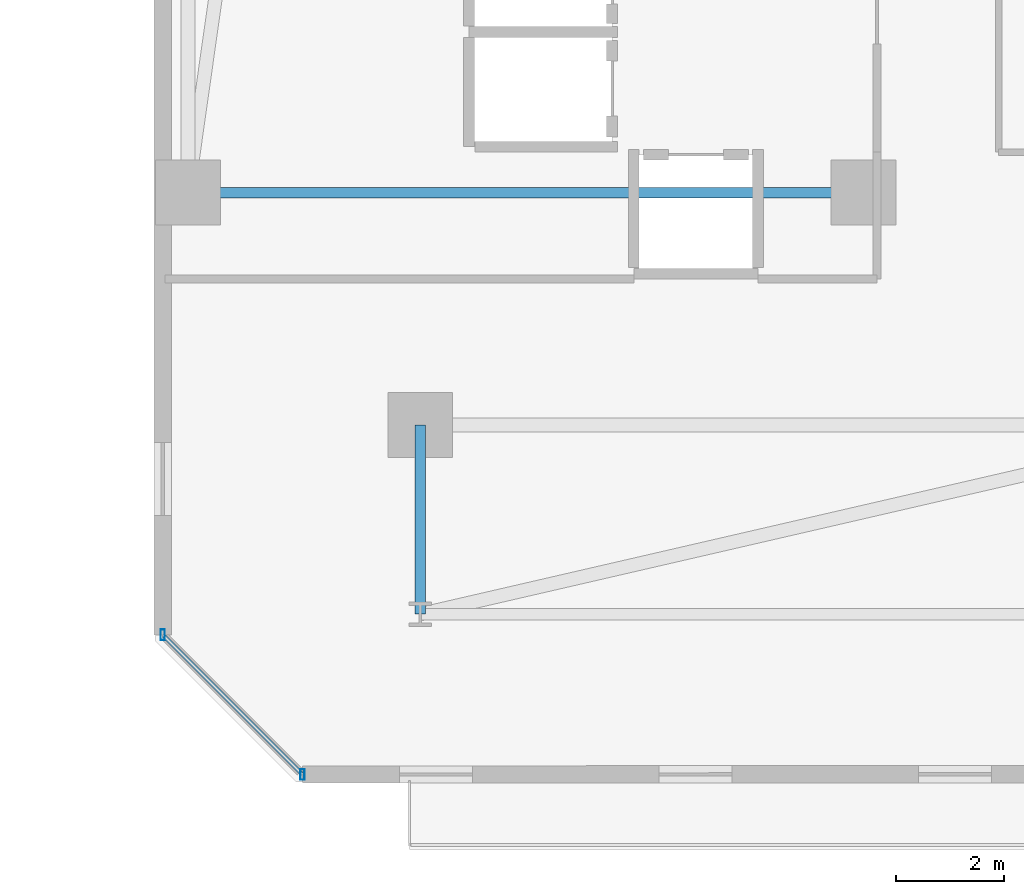
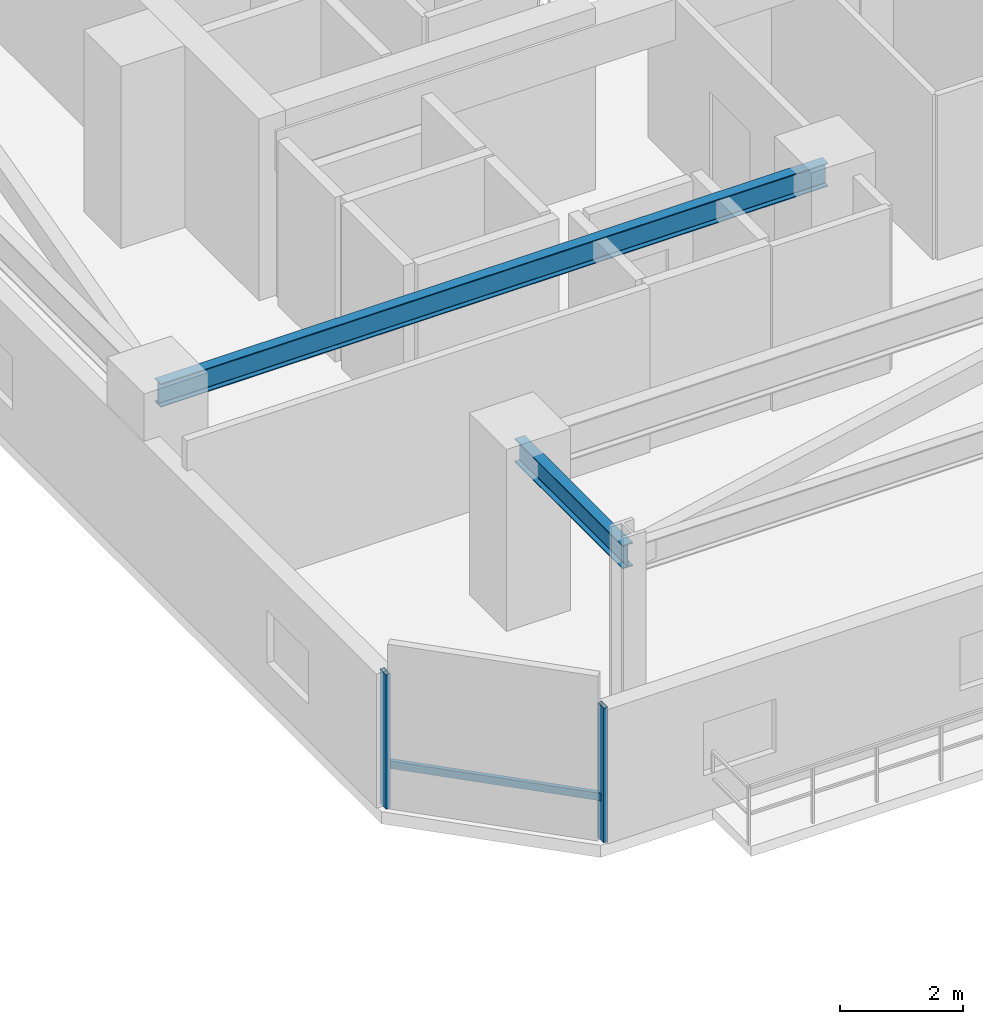
# One storey, part 10 of 34: 3 members, 2 beams, 1 element without a shape of its own.
"""IFC4 building model written with IfcOpenShell, lengths in metres."""

from ifc_helpers import new_model, si_unit, direction, frame, origin, origin_2d, place, context, subcontext, project, spatial, hollow_rectangle, i_section, extrude, material, material_profile, profile_set, type_object, element, aggregate, save


model = new_model("IFC4")

# Units and contexts
model_context = context("Model", 3, precision=1e-05, world=origin(), true_north=direction((0.0, 1.0)))
body_context = subcontext(model_context, "Body", "Model", "MODEL_VIEW")
ifc_project = project(units=[si_unit("LENGTHUNIT", "METRE"), si_unit("AREAUNIT", "SQUARE_METRE"), si_unit("VOLUMEUNIT", "CUBIC_METRE"), si_unit("PLANEANGLEUNIT", "RADIAN"), si_unit("MASSUNIT", "GRAM", prefix="KILO")], contexts=[model_context])

# Site, building, storey
site_placement = place(None, origin())
site = spatial("IfcSite", under=ifc_project, at=site_placement, CompositionType="ELEMENT")
building_placement = place(site_placement, origin())
building = spatial("IfcBuilding", under=site, at=building_placement, Name="Thornwick Lancets Civic Towers", CompositionType="ELEMENT")
storey_placement = place(building_placement, frame((0.0, 0.0, 137.699951171875)))
storey = spatial("IfcBuildingStorey", under=building, at=storey_placement, Name="L36", CompositionType="ELEMENT", Elevation=137.699951171875)

# Beams
ifc_material_1 = material(Name="Steel S355JR", Category="steel")
ifc_material_profile_1 = material_profile(ifc_material_1, i_section(OverallWidth=0.19189453125, OverallDepth=0.46337890625, WebThickness=0.010498046875, FlangeThickness=0.017578125, FilletRadius=0.01025390625, at=origin_2d()), Name="UKB 457x191x89")
ifc_profile_set_1 = profile_set([ifc_material_profile_1], Name="Steel S355JR")
beam_type = type_object("IfcBeamType", Name="BM_JOIST_457_89", PredefinedType="JOIST", material=ifc_profile_set_1)
beam_1_placement = place(storey_placement, frame((83.699951171875, 14.0, 3.04833984375), z_axis=(-1.0, 0.0, 0.0), x_axis=(0.0, -1.0, 0.0)))
element("IfcBeam", 1, at=beam_1_placement, inside=storey, type_object=beam_type, Name="BM-RADIN-L36-B07", PredefinedType="JOIST", context=body_context, shape_type="SweptSolid", body=[
    extrude(i_section(OverallWidth=0.19189453125, OverallDepth=0.46337890625, WebThickness=0.010498046875, FlangeThickness=0.017578125, FilletRadius=0.01025390625, at=origin_2d()), origin(), (0.0, 0.0, 1.0), 12.5),
])
beam_2_placement = place(storey_placement, frame((75.5, 9.699951171875, 3.04833984375), z_axis=(0.0, -1.0, 0.0), x_axis=(1.0, 0.0, 0.0)))
element("IfcBeam", 2, at=beam_2_placement, inside=storey, type_object=beam_type, Name="BM-RAD-L36-B12", PredefinedType="JOIST", context=body_context, shape_type="SweptSolid", body=[
    extrude(i_section(OverallWidth=0.19189453125, OverallDepth=0.46337890625, WebThickness=0.010498046875, FlangeThickness=0.017578125, FilletRadius=0.01025390625, at=origin_2d()), origin(), (0.0, 0.0, 1.0), 3.5),
])

# Curtain wall, members
ifc_material_2 = material(Name="Mid-zone chamfered-corner unitised glass curtain wall", Category="glass")
curtain_wall_type = type_object("IfcCurtainWallType", Name="CW_SYS_04", PredefinedType="NOTDEFINED", material=ifc_material_2)
curtain_wall_placement = place(storey_placement, origin())
curtain_wall = element("IfcCurtainWall", 3, at=curtain_wall_placement, inside=storey, type_object=curtain_wall_type, Name="L36 Curtain Wall CW-L36-B-E7", PredefinedType="NOTDEFINED")
ifc_material_3 = material(Name="Thermally broken bronze aluminium S355", Category="steel")
ifc_material_profile_2 = material_profile(ifc_material_3, hollow_rectangle(XDim=0.080078125, YDim=0.199951171875, WallThickness=0.006103515625, at=origin_2d()), Name="RHS 200x80x6")
ifc_profile_set_2 = profile_set([ifc_material_profile_2], Name="Thermally broken bronze aluminium S355")
member_type_1 = type_object("IfcMemberType", Name="CW_MUL_200", PredefinedType="MULLION", material=ifc_profile_set_2)
member_1_placement = place(storey_placement, frame((70.7353515625, 5.818603515625, 0.0), z_axis=(0.0, 0.0, 1.0), x_axis=(1.0, 0.0, 0.0)))
member_1 = element("IfcMember", 4, at=member_1_placement, type_object=member_type_1, Name="CW-L36-B-E7 Mullion 0", PredefinedType="MULLION", context=body_context, shape_type="SweptSolid", body=[
    extrude(hollow_rectangle(XDim=0.080078125, YDim=0.199951171875, WallThickness=0.006103515625, at=origin_2d()), origin(), (0.0, 0.0, 1.0), 2.66015625),
])
member_2_placement = place(storey_placement, frame((73.318603515625, 3.2353515625, 0.0), z_axis=(0.0, 0.0, 1.0), x_axis=(1.0, 0.0, 0.0)))
member_2 = element("IfcMember", 5, at=member_2_placement, type_object=member_type_1, Name="CW-L36-B-E7 Mullion 1", PredefinedType="MULLION", context=body_context, shape_type="SweptSolid", body=[
    extrude(hollow_rectangle(XDim=0.080078125, YDim=0.199951171875, WallThickness=0.006103515625, at=origin_2d()), origin(), (0.0, 0.0, 1.0), 2.66015625),
])
ifc_material_profile_3 = material_profile(ifc_material_3, hollow_rectangle(XDim=0.074951171875, YDim=0.14990234375, WallThickness=0.0048828125, at=origin_2d()), Name="RHS 150x75x5")
ifc_profile_set_3 = profile_set([ifc_material_profile_3], Name="Thermally broken bronze aluminium S355")
member_type_2 = type_object("IfcMemberType", Name="CW_TRN_150", PredefinedType="USERDEFINED", material=ifc_profile_set_3)
member_3_placement = place(storey_placement, frame((70.74951171875, 5.804443359375, 0.85009765625), z_axis=(0.707106781187, -0.707106781187, 0.0), x_axis=(0.707106781187, 0.707106781187, 0.0)))
member_3 = element("IfcMember", 6, at=member_3_placement, type_object=member_type_2, Name="CW-L36-B-E7 Transom 0", ObjectType="TRANSOM", PredefinedType="USERDEFINED", context=body_context, shape_type="SweptSolid", body=[
    extrude(hollow_rectangle(XDim=0.074951171875, YDim=0.14990234375, WallThickness=0.0048828125, at=origin_2d()), origin(), (0.0, 0.0, 1.0), 3.61328125),
])
aggregate(curtain_wall, [member_1, member_2, member_3])

save(model, "model.ifc")
